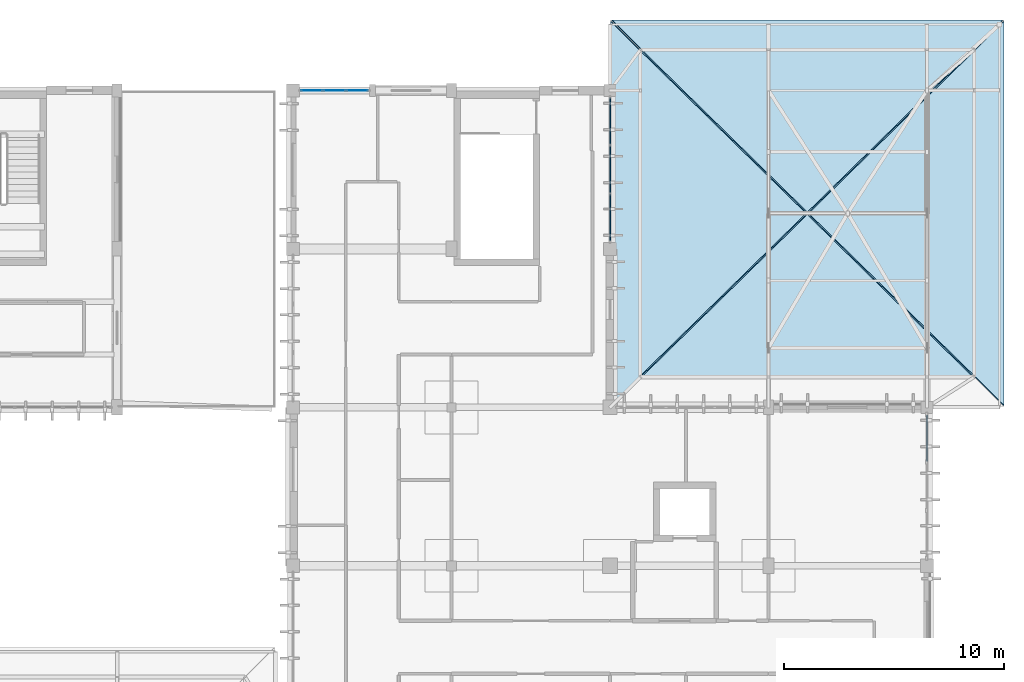
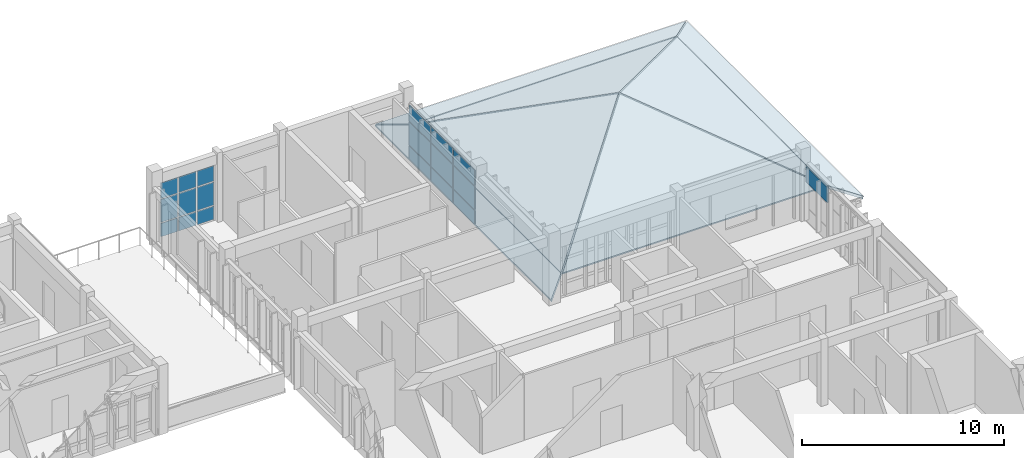
# One storey, part 27 of 51: 19 plates, 7 slabs, 4 elements without a shape of their own.
"""IFC4 building model written with IfcOpenShell, lengths in metres."""

from ifc_helpers import new_model, si_unit, direction, frame, origin, origin_2d, place, context, subcontext, project, spatial, polyline, rectangle, outline, extrude, material, layer, layer_set, type_object, element, aggregate, save


model = new_model("IFC4")

# Units and contexts
model_context = context("Model", 3, precision=1e-05, world=origin(), true_north=direction((0.0, 1.0)))
body_context = subcontext(model_context, "Body", "Model", "MODEL_VIEW")
ifc_project = project(units=[si_unit("LENGTHUNIT", "METRE"), si_unit("AREAUNIT", "SQUARE_METRE"), si_unit("VOLUMEUNIT", "CUBIC_METRE"), si_unit("PLANEANGLEUNIT", "RADIAN"), si_unit("MASSUNIT", "GRAM", prefix="KILO")], contexts=[model_context])

# Site, building, storey
site_placement = place(None, origin())
site = spatial("IfcSite", under=ifc_project, at=site_placement, CompositionType="ELEMENT")
building_placement = place(site_placement, origin())
building = spatial("IfcBuilding", under=site, at=building_placement, Name="Steenspoor Specialist Clinic", CompositionType="ELEMENT")
storey_placement = place(building_placement, frame((0.0, 0.0, 17.39990234375)))
storey = spatial("IfcBuildingStorey", under=building, at=storey_placement, Name="L04", CompositionType="ELEMENT", Elevation=17.39990234375)

# Curtain wall, plates
ifc_material_1 = material(Name="Thermally broken aluminium and low-emissivity glass", Category="aluminium")
curtain_wall_type_1 = type_object("IfcCurtainWallType", Name="CW-TYP-300X355", PredefinedType="USERDEFINED", material=ifc_material_1)
curtain_wall_1_placement = place(storey_placement, origin())
curtain_wall_1 = element("IfcCurtainWall", 1, at=curtain_wall_1_placement, inside=storey, type_object=curtain_wall_type_1, Name="Unitised Curtain Wall CW-V6-L04-207", ObjectType="UNITISED GLAZING", PredefinedType="USERDEFINED")
ifc_material_2 = material(Name="Double low-emissivity insulated glass", Category="glass")
ifc_layer_1 = layer(ifc_material_2, 0.035888671875)
ifc_layer_set_1 = layer_set([ifc_layer_1], Name="Double low-emissivity insulated glass")
plate_type_1 = type_object("IfcPlateType", Name="CW-PAN-GL36", PredefinedType="CURTAIN_PANEL", material=ifc_layer_set_1)
plate_1_placement = place(storey_placement, frame((118.843017578125, 108.35009765625, 0.06494140625), z_axis=(0.0, 0.0, 1.0), x_axis=(1.0, 0.0, 0.0)))
plate_1 = element("IfcPlate", 2, at=plate_1_placement, type_object=plate_type_1, Name="CW-15 panel 1.1", PredefinedType="CURTAIN_PANEL", context=body_context, shape_type="SweptSolid", body=[
    extrude(rectangle(XDim=0.955810546875, YDim=0.035888671875, at=origin_2d()), origin(), (0.0, 0.0, 1.0), 0.802490234375),
])
plate_2_placement = place(storey_placement, frame((118.843017578125, 108.35009765625, 0.9326171875), z_axis=(0.0, 0.0, 1.0), x_axis=(1.0, 0.0, 0.0)))
plate_2 = element("IfcPlate", 3, at=plate_2_placement, type_object=plate_type_1, Name="CW-15 panel 1.2", PredefinedType="CURTAIN_PANEL", context=body_context, shape_type="SweptSolid", body=[
    extrude(rectangle(XDim=0.955810546875, YDim=0.035888671875, at=origin_2d()), origin(), (0.0, 0.0, 1.0), 1.385009765625),
])
plate_3_placement = place(storey_placement, frame((118.843017578125, 108.35009765625, 2.382568359375), z_axis=(0.0, 0.0, 1.0), x_axis=(1.0, 0.0, 0.0)))
plate_3 = element("IfcPlate", 4, at=plate_3_placement, type_object=plate_type_1, Name="CW-15 panel 1.3", PredefinedType="CURTAIN_PANEL", context=body_context, shape_type="SweptSolid", body=[
    extrude(rectangle(XDim=0.955810546875, YDim=0.035888671875, at=origin_2d()), origin(), (0.0, 0.0, 1.0), 0.9326171875),
])
plate_4_placement = place(storey_placement, frame((119.8798828125, 108.35009765625, 0.06494140625), z_axis=(0.0, 0.0, 1.0), x_axis=(1.0, 0.0, 0.0)))
plate_4 = element("IfcPlate", 5, at=plate_4_placement, type_object=plate_type_1, Name="CW-15 panel 2.1", PredefinedType="CURTAIN_PANEL", context=body_context, shape_type="SweptSolid", body=[
    extrude(rectangle(XDim=0.98828125, YDim=0.035888671875, at=origin_2d()), origin(), (0.0, 0.0, 1.0), 0.802490234375),
])
plate_5_placement = place(storey_placement, frame((119.8798828125, 108.35009765625, 0.9326171875), z_axis=(0.0, 0.0, 1.0), x_axis=(1.0, 0.0, 0.0)))
plate_5 = element("IfcPlate", 6, at=plate_5_placement, type_object=plate_type_1, Name="CW-15 panel 2.2", PredefinedType="CURTAIN_PANEL", context=body_context, shape_type="SweptSolid", body=[
    extrude(rectangle(XDim=0.98828125, YDim=0.035888671875, at=origin_2d()), origin(), (0.0, 0.0, 1.0), 1.385009765625),
])
plate_6_placement = place(storey_placement, frame((119.8798828125, 108.35009765625, 2.382568359375), z_axis=(0.0, 0.0, 1.0), x_axis=(1.0, 0.0, 0.0)))
plate_6 = element("IfcPlate", 7, at=plate_6_placement, type_object=plate_type_1, Name="CW-15 panel 2.3", PredefinedType="CURTAIN_PANEL", context=body_context, shape_type="SweptSolid", body=[
    extrude(rectangle(XDim=0.98828125, YDim=0.035888671875, at=origin_2d()), origin(), (0.0, 0.0, 1.0), 0.9326171875),
])
plate_7_placement = place(storey_placement, frame((120.9169921875, 108.35009765625, 0.06494140625), z_axis=(0.0, 0.0, 1.0), x_axis=(1.0, 0.0, 0.0)))
plate_7 = element("IfcPlate", 8, at=plate_7_placement, type_object=plate_type_1, Name="CW-15 panel 3.1", PredefinedType="CURTAIN_PANEL", context=body_context, shape_type="SweptSolid", body=[
    extrude(rectangle(XDim=0.955810546875, YDim=0.035888671875, at=origin_2d()), origin(), (0.0, 0.0, 1.0), 0.802490234375),
])
plate_8_placement = place(storey_placement, frame((120.9169921875, 108.35009765625, 0.9326171875), z_axis=(0.0, 0.0, 1.0), x_axis=(1.0, 0.0, 0.0)))
plate_8 = element("IfcPlate", 9, at=plate_8_placement, type_object=plate_type_1, Name="CW-15 panel 3.2", PredefinedType="CURTAIN_PANEL", context=body_context, shape_type="SweptSolid", body=[
    extrude(rectangle(XDim=0.955810546875, YDim=0.035888671875, at=origin_2d()), origin(), (0.0, 0.0, 1.0), 1.385009765625),
])
plate_9_placement = place(storey_placement, frame((120.9169921875, 108.35009765625, 2.382568359375), z_axis=(0.0, 0.0, 1.0), x_axis=(1.0, 0.0, 0.0)))
plate_9 = element("IfcPlate", 10, at=plate_9_placement, type_object=plate_type_1, Name="CW-15 panel 3.3", PredefinedType="CURTAIN_PANEL", context=body_context, shape_type="SweptSolid", body=[
    extrude(rectangle(XDim=0.955810546875, YDim=0.035888671875, at=origin_2d()), origin(), (0.0, 0.0, 1.0), 0.9326171875),
])
aggregate(curtain_wall_1, [plate_1, plate_2, plate_3, plate_4, plate_5, plate_6, plate_7, plate_8, plate_9])

curtain_wall_type_2 = type_object("IfcCurtainWallType", Name="CW-TYP-240X355", PredefinedType="USERDEFINED", material=ifc_material_1)
curtain_wall_2_placement = place(storey_placement, origin())
curtain_wall_2 = element("IfcCurtainWall", 11, at=curtain_wall_2_placement, inside=storey, type_object=curtain_wall_type_2, Name="Unitised Curtain Wall CW-V6-L04-208", ObjectType="UNITISED GLAZING", PredefinedType="USERDEFINED")
ifc_material_3 = material(Name="Triple acoustic laminated low-emissivity glass", Category="glass")
ifc_layer_2 = layer(ifc_material_3, 0.048095703125)
ifc_layer_set_2 = layer_set([ifc_layer_2], Name="Triple acoustic laminated low-emissivity glass")
plate_type_2 = type_object("IfcPlateType", Name="CW-PAN-GL48", PredefinedType="CURTAIN_PANEL", material=ifc_layer_set_2)
plate_10_placement = place(storey_placement, frame((132.39990234375, 106.955810546875, 0.06005859375), z_axis=(0.0, 0.0, 1.0), x_axis=(0.0, -1.0, 0.0)))
plate_10 = element("IfcPlate", 12, at=plate_10_placement, type_object=plate_type_2, Name="CW-16 panel 1.1", PredefinedType="CURTAIN_PANEL", context=body_context, shape_type="SweptSolid", body=[
    extrude(rectangle(XDim=2.118408203125, YDim=0.048095703125, at=origin_2d()), origin(), (0.0, 0.0, 1.0), 0.81005859375),
])
plate_11_placement = place(storey_placement, frame((132.39990234375, 106.955810546875, 0.93017578125), z_axis=(0.0, 0.0, 1.0), x_axis=(0.0, -1.0, 0.0)))
plate_11 = element("IfcPlate", 13, at=plate_11_placement, type_object=plate_type_2, Name="CW-16 panel 1.2", PredefinedType="CURTAIN_PANEL", context=body_context, shape_type="SweptSolid", body=[
    extrude(rectangle(XDim=2.118408203125, YDim=0.048095703125, at=origin_2d()), origin(), (0.0, 0.0, 1.0), 1.389892578125),
])
plate_12_placement = place(storey_placement, frame((132.39990234375, 106.955810546875, 2.380126953125), z_axis=(0.0, 0.0, 1.0), x_axis=(0.0, -1.0, 0.0)))
plate_12 = element("IfcPlate", 14, at=plate_12_placement, type_object=plate_type_2, Name="CW-16 panel 1.3", PredefinedType="CURTAIN_PANEL", context=body_context, shape_type="SweptSolid", body=[
    extrude(rectangle(XDim=2.118408203125, YDim=0.048095703125, at=origin_2d()), origin(), (0.0, 0.0, 1.0), 0.93994140625),
])
plate_13_placement = place(storey_placement, frame((132.39990234375, 104.762451171875, 0.06005859375), z_axis=(0.0, 0.0, 1.0), x_axis=(0.0, -1.0, 0.0)))
plate_13 = element("IfcPlate", 15, at=plate_13_placement, type_object=plate_type_2, Name="CW-16 panel 2.1", PredefinedType="CURTAIN_PANEL", context=body_context, shape_type="SweptSolid", body=[
    extrude(rectangle(XDim=2.1484375, YDim=0.048095703125, at=origin_2d()), origin(), (0.0, 0.0, 1.0), 0.81005859375),
])
plate_14_placement = place(storey_placement, frame((132.39990234375, 104.762451171875, 0.93017578125), z_axis=(0.0, 0.0, 1.0), x_axis=(0.0, -1.0, 0.0)))
plate_14 = element("IfcPlate", 16, at=plate_14_placement, type_object=plate_type_2, Name="CW-16 panel 2.2", PredefinedType="CURTAIN_PANEL", context=body_context, shape_type="SweptSolid", body=[
    extrude(rectangle(XDim=2.1484375, YDim=0.048095703125, at=origin_2d()), origin(), (0.0, 0.0, 1.0), 1.389892578125),
])
plate_15_placement = place(storey_placement, frame((132.39990234375, 104.762451171875, 2.380126953125), z_axis=(0.0, 0.0, 1.0), x_axis=(0.0, -1.0, 0.0)))
plate_15 = element("IfcPlate", 17, at=plate_15_placement, type_object=plate_type_2, Name="CW-16 panel 2.3", PredefinedType="CURTAIN_PANEL", context=body_context, shape_type="SweptSolid", body=[
    extrude(rectangle(XDim=2.1484375, YDim=0.048095703125, at=origin_2d()), origin(), (0.0, 0.0, 1.0), 0.93994140625),
])
plate_16_placement = place(storey_placement, frame((132.39990234375, 102.569091796875, 0.06005859375), z_axis=(0.0, 0.0, 1.0), x_axis=(0.0, -1.0, 0.0)))
plate_16 = element("IfcPlate", 18, at=plate_16_placement, type_object=plate_type_2, Name="CW-16 panel 3.1", PredefinedType="CURTAIN_PANEL", context=body_context, shape_type="SweptSolid", body=[
    extrude(rectangle(XDim=2.118408203125, YDim=0.048095703125, at=origin_2d()), origin(), (0.0, 0.0, 1.0), 0.81005859375),
])
plate_17_placement = place(storey_placement, frame((132.39990234375, 102.569091796875, 0.93017578125), z_axis=(0.0, 0.0, 1.0), x_axis=(0.0, -1.0, 0.0)))
plate_17 = element("IfcPlate", 19, at=plate_17_placement, type_object=plate_type_2, Name="CW-16 panel 3.2", PredefinedType="CURTAIN_PANEL", context=body_context, shape_type="SweptSolid", body=[
    extrude(rectangle(XDim=2.118408203125, YDim=0.048095703125, at=origin_2d()), origin(), (0.0, 0.0, 1.0), 1.389892578125),
])
plate_18_placement = place(storey_placement, frame((132.39990234375, 102.569091796875, 2.380126953125), z_axis=(0.0, 0.0, 1.0), x_axis=(0.0, -1.0, 0.0)))
plate_18 = element("IfcPlate", 20, at=plate_18_placement, type_object=plate_type_2, Name="CW-16 panel 3.3", PredefinedType="CURTAIN_PANEL", context=body_context, shape_type="SweptSolid", body=[
    extrude(rectangle(XDim=2.118408203125, YDim=0.048095703125, at=origin_2d()), origin(), (0.0, 0.0, 1.0), 0.93994140625),
])
aggregate(curtain_wall_2, [plate_10, plate_11, plate_12, plate_13, plate_14, plate_15, plate_16, plate_17, plate_18])

# Curtain wall, plate
curtain_wall_type_3 = type_object("IfcCurtainWallType", Name="CW-TYP-540X355", PredefinedType="USERDEFINED", material=ifc_material_1)
curtain_wall_3_placement = place(storey_placement, origin())
curtain_wall_3 = element("IfcCurtainWall", 21, at=curtain_wall_3_placement, inside=storey, type_object=curtain_wall_type_3, Name="Unitised Curtain Wall CW-V6-L04-203", ObjectType="UNITISED GLAZING", PredefinedType="USERDEFINED")
ifc_material_4 = material(Name="Insulated glazed ceramic spandrel panel", Category="glass")
ifc_layer_3 = layer(ifc_material_4, 0.074951171875)
ifc_layer_set_3 = layer_set([ifc_layer_3], Name="Insulated glazed ceramic spandrel panel")
plate_type_3 = type_object("IfcPlateType", Name="CW-PAN-SP75", PredefinedType="CURTAIN_PANEL", material=ifc_layer_set_3)
plate_19_placement = place(storey_placement, frame((146.800048828125, 92.54833984375, 2.380126953125), z_axis=(0.0, 0.0, 1.0), x_axis=(0.0, -1.0, 0.0)))
plate_19 = element("IfcPlate", 22, at=plate_19_placement, type_object=plate_type_3, Name="CW-11 panel 1.3", PredefinedType="CURTAIN_PANEL", context=body_context, shape_type="SweptSolid", body=[
    extrude(rectangle(XDim=2.0732421875, YDim=0.074951171875, at=origin_2d()), origin(), (0.0, 0.0, 1.0), 0.93994140625),
])
aggregate(curtain_wall_3, [plate_19])

# Roof, slabs
ifc_material_5 = material(Name="Extruded terracotta clay roof tile", Category="masonry")
roof_type = type_object("IfcRoofType", Name="ROOF-HIP-TIER", PredefinedType="HIP_ROOF", material=ifc_material_5)
roof_placement = place(storey_placement, origin())
roof = element("IfcRoof", 23, at=roof_placement, inside=storey, type_object=roof_type, Name="Tiered Hipped Roof V6T3", PredefinedType="HIP_ROOF")
ifc_material_6 = material(Name="Concrete C35/45", Category="concrete")
ifc_layer_4 = layer(ifc_material_6, 0.14990234375)
ifc_layer_set_4 = layer_set([ifc_layer_4], Name="Concrete C35/45")
slab_type = type_object("IfcSlabType", Name="SL-ROOF-150", PredefinedType="ROOF", material=ifc_layer_set_4)
slab_1_placement = place(storey_placement, frame((148.899658203125, 110.208984375, 0.33447265625), z_axis=(0.0, 0.241995280227, 0.970277426486), x_axis=(0.696295200328, 0.696421983868, -0.173693449463)))
slab_1 = element("IfcSlab", 24, at=slab_1_placement, type_object=slab_type, Name="Hipped Roof Slab RSLAB-V6T3-SKN", PredefinedType="ROOF", context=body_context, shape_type="SweptSolid", body=[
    extrude(outline(polyline([(0.0, 0.0), (1.9256492244505445, -6.245004513516506e-17), (-10.434270557150723, 12.740861505989537), (-10.492706285409538, 10.816099130710489), (0.0, 0.0)])), origin(), (0.0, 0.0, -1.0), 0.14990234375),
])
slab_2_placement = place(storey_placement, frame((133.77099609375, 110.149658203125, 0.33447265625), z_axis=(-0.241995280227, 0.0, 0.970277426486), x_axis=(-0.696421983868, 0.696295200328, -0.173693449463)))
slab_2 = element("IfcSlab", 25, at=slab_2_placement, type_object=slab_type, Name="Hipped Roof Slab RSLAB-V6T3-SKW", PredefinedType="ROOF", context=body_context, shape_type="SweptSolid", body=[
    extrude(outline(polyline([(0.0, 0.0), (1.9256492244505445, 4.85722573273506e-17), (-10.225517992208676, 12.525675035046103), (-10.283783726522097, 10.600737426484526), (0.0, 0.0)])), origin(), (0.0, 0.0, -1.0), 0.14990234375),
])
slab_3_placement = place(storey_placement, frame((148.958984375, 95.38037109375, 0.33447265625), z_axis=(0.241995280227, 0.0, 0.970277426486), x_axis=(0.696360507135, -0.696360507135, -0.173678116653)))
slab_3 = element("IfcSlab", 26, at=slab_3_placement, type_object=slab_type, Name="Hipped Roof Slab RSLAB-V6T3-SKE", PredefinedType="ROOF", context=body_context, shape_type="SweptSolid", body=[
    extrude(outline(polyline([(0.0, 0.0), (1.9258192263683114, -5.551115123125783e-17), (-10.226487670614253, 12.52456932961533), (-10.284748261513153, 10.599801645146606), (0.0, 0.0)])), origin(), (0.0, 0.0, -1.0), 0.14990234375),
])
slab_4_placement = place(storey_placement, frame((141.364990234375, 102.706298828125, 4.0703125), z_axis=(0.0, -0.451607768549, 0.892216578744), x_axis=(-0.673131020429, -0.659814899219, -0.333974442294)))
slab_4 = element("IfcSlab", 27, at=slab_4_placement, type_object=slab_type, Name="Hipped Roof Slab RSLAB-V6T3-S", PredefinedType="ROOF", context=body_context, shape_type="SweptSolid", body=[
    extrude(outline(polyline([(0.0, 0.0), (11.165536741777492, 2.220446049250313e-16), (1.0472074137049883, 11.116319866064691), (0.0, 0.0)])), origin(), (0.0, 0.0, -1.0), 0.14990234375),
])
slab_5_placement = place(storey_placement, frame((141.364990234375, 102.82373046875, 4.0703125), z_axis=(0.0, 0.451607768549, 0.892216578744), x_axis=(0.673131020429, 0.659814899219, -0.333974442294)))
slab_5 = element("IfcSlab", 28, at=slab_5_placement, type_object=slab_type, Name="Hipped Roof Slab RSLAB-V6T3-N", PredefinedType="ROOF", context=body_context, shape_type="SweptSolid", body=[
    extrude(outline(polyline([(0.0, 0.0), (11.165536741777492, 2.220446049250313e-16), (1.0472074137049883, 11.116319866064691), (0.0, 0.0)])), origin(), (0.0, 0.0, -1.0), 0.14990234375),
])
slab_6_placement = place(storey_placement, frame((141.304931640625, 102.764892578125, 4.0703125), z_axis=(-0.444452915682, 0.0, 0.895802213517), x_axis=(-0.67312130907, 0.659827245211, -0.333969623997)))
slab_6 = element("IfcSlab", 29, at=slab_6_placement, type_object=slab_type, Name="Hipped Roof Slab RSLAB-V6T3-W", PredefinedType="ROOF", context=body_context, shape_type="SweptSolid", body=[
    extrude(outline(polyline([(0.0, 0.0), (11.165697830906465, 0.0), (1.4433946741151924, 11.071848199226679), (0.0, 0.0)])), origin(), (0.0, 0.0, -1.0), 0.14990234375),
])
slab_7_placement = place(storey_placement, frame((141.425048828125, 102.764892578125, 4.0703125), z_axis=(0.444452915682, 0.0, 0.895802213517), x_axis=(0.673131020429, -0.659814899219, -0.333974442294)))
slab_7 = element("IfcSlab", 30, at=slab_7_placement, type_object=slab_type, Name="Hipped Roof Slab RSLAB-V6T3-E", PredefinedType="ROOF", context=body_context, shape_type="SweptSolid", body=[
    extrude(outline(polyline([(0.0, 0.0), (11.165536741777492, -2.220446049250313e-16), (1.4434154984782468, 11.072007936678066), (0.0, 0.0)])), origin(), (0.0, 0.0, -1.0), 0.14990234375),
])
aggregate(roof, [slab_1, slab_2, slab_3, slab_4, slab_5, slab_6, slab_7])

save(model, "model.ifc")
